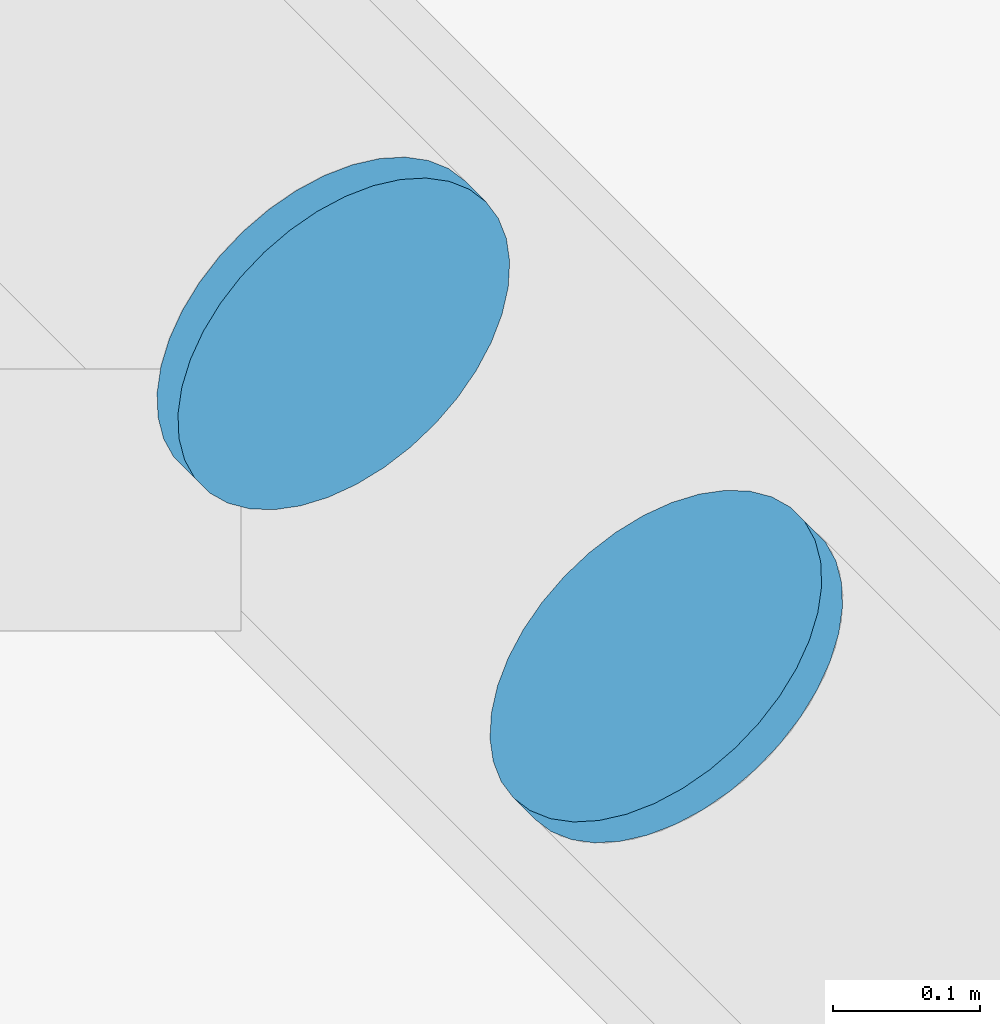
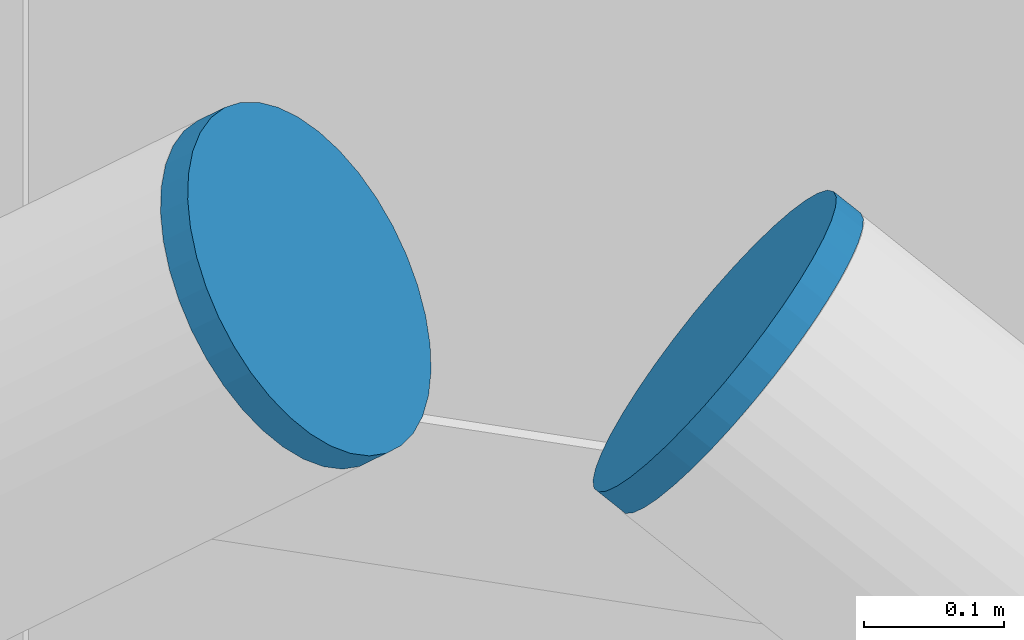
# One storey, part 8 of 9: 2 discrete accessories.
"""IFC4 building model written with IfcOpenShell, lengths in metres."""

from ifc_helpers import new_model, si_unit, direction, frame, origin, origin_2d, place, context, subcontext, project, spatial, circle, extrude, material, material_profile, profile_set, type_object, element, save


model = new_model("IFC4")

# Units and contexts
model_context = context("Model", 3, precision=1e-05, world=origin(), true_north=direction((0.0, 1.0)))
body_context = subcontext(model_context, "Body", "Model", "MODEL_VIEW")
ifc_project = project(units=[si_unit("LENGTHUNIT", "METRE"), si_unit("AREAUNIT", "SQUARE_METRE"), si_unit("VOLUMEUNIT", "CUBIC_METRE"), si_unit("PLANEANGLEUNIT", "RADIAN"), si_unit("MASSUNIT", "GRAM", prefix="KILO")], contexts=[model_context])

# Site, building, storey
site_placement = place(None, origin())
site = spatial("IfcSite", under=ifc_project, at=site_placement, CompositionType="ELEMENT")
building_placement = place(site_placement, origin())
building = spatial("IfcBuilding", under=site, at=building_placement, Name="Mawjdan Bourse Tower", CompositionType="ELEMENT")
storey_placement = place(building_placement, frame((0.0, 0.0, 222.89990234375)))
storey = spatial("IfcBuildingStorey", under=building, at=storey_placement, Name="L54", CompositionType="ELEMENT", Elevation=222.89990234375)

# Discrete accessories
ifc_material = material(Name="Structural Steel S355", Category="steel")
ifc_material_profile = material_profile(ifc_material, circle(Radius=0.136474609375, at=origin_2d()), Name="EPL-CHS273X12.5")
ifc_profile_set = profile_set([ifc_material_profile], Name="Structural Steel S355")
discrete_accessory_type = type_object("IfcDiscreteAccessoryType", Name="EPL-CHS273X12.5", PredefinedType="NOTDEFINED", material=ifc_profile_set)
for number, where, z_axis, x_axis, name in (
    (1, (26.8798828125, 27.1201171875, 3.170166015625), (0.564091319087, -0.564091319087, 0.602994168679), (0.707106781187, 0.707106781187, 0.0), "L54 Atrium Sky Bridge Truss Apex End Plate 1"),
    (2, (27.1201171875, 26.8798828125, 3.170166015625), (-0.564091319087, 0.564091319087, 0.602994168679), (-0.707106781187, -0.707106781187, 0.0), "L54 Atrium Sky Bridge Truss Apex End Plate 2"),
):
    element("IfcDiscreteAccessory", number, at=place(storey_placement, frame(where, z_axis=z_axis, x_axis=x_axis)), inside=storey, type_object=discrete_accessory_type, Name=name, PredefinedType="NOTDEFINED", context=body_context, shape_type="SweptSolid", body=[
        extrude(circle(Radius=0.136474609375, at=origin_2d()), origin(), (0.0, 0.0, 1.0), 0.025146484375),
    ])

save(model, "model.ifc")
